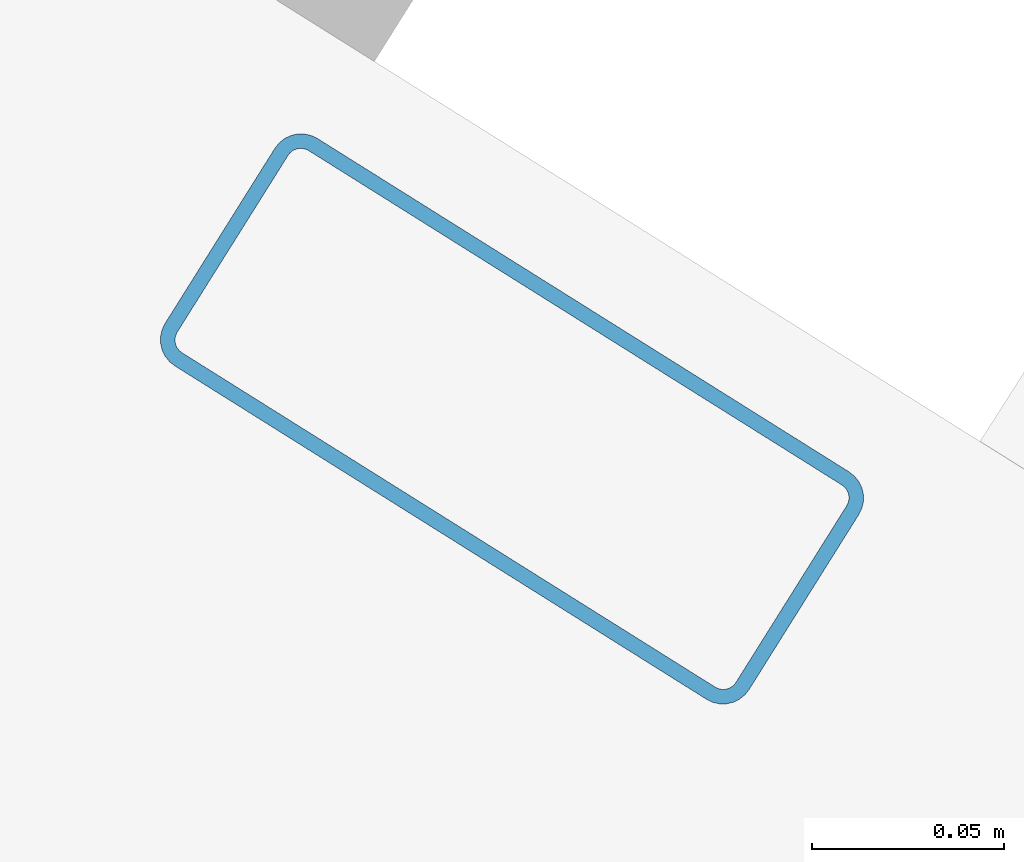
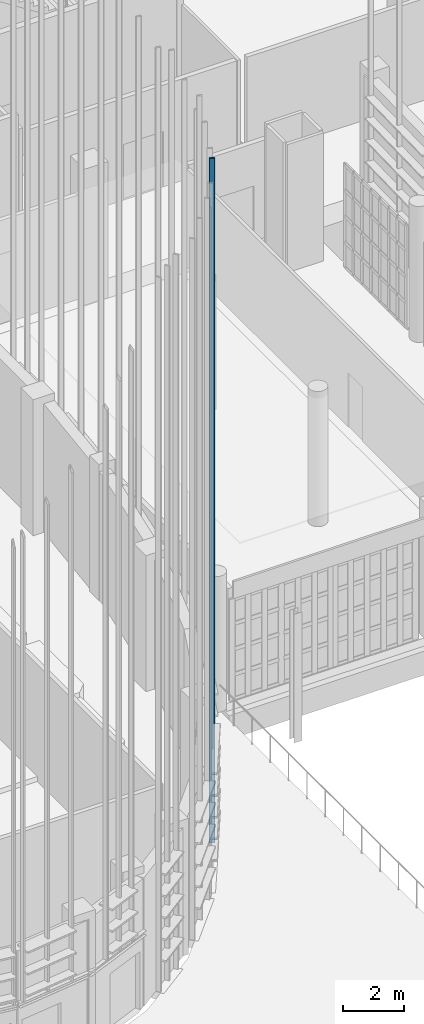
# One storey, part 62 of 372: 1 member.
"""IFC4 building model written with IfcOpenShell, lengths in metres."""

from ifc_helpers import new_model, si_unit, direction, frame, origin, origin_2d, place, context, subcontext, project, spatial, hollow_rectangle, extrude, material, material_profile, profile_set, type_object, element, save


model = new_model("IFC4")

# Units and contexts
model_context = context("Model", 3, precision=1e-05, world=origin(), true_north=direction((0.0, 1.0)))
body_context = subcontext(model_context, "Body", "Model", "MODEL_VIEW")
ifc_project = project(units=[si_unit("LENGTHUNIT", "METRE"), si_unit("AREAUNIT", "SQUARE_METRE"), si_unit("VOLUMEUNIT", "CUBIC_METRE"), si_unit("PLANEANGLEUNIT", "RADIAN"), si_unit("MASSUNIT", "GRAM", prefix="KILO")], contexts=[model_context])

# Site, building, storey
site_placement = place(None, origin())
site = spatial("IfcSite", under=ifc_project, at=site_placement, CompositionType="ELEMENT")
building_placement = place(site_placement, origin())
building = spatial("IfcBuilding", under=site, at=building_placement, Name="Kaelora Sail Theatre", CompositionType="ELEMENT")
storey_placement = place(building_placement, origin())
storey = spatial("IfcBuildingStorey", under=building, at=storey_placement, Name="L00", CompositionType="ELEMENT", Elevation=0.0)

# Member
ifc_material = material(Name="Anodised aluminium 6063-T6", Category="aluminium")
ifc_material_profile = material_profile(ifc_material, hollow_rectangle(XDim=0.070068359375, YDim=0.179931640625, WallThickness=0.00390625, InnerFilletRadius=0.00390625, OuterFilletRadius=0.008056640625, at=origin_2d()), Name="ALU-MULL 70x180x4")
ifc_profile_set = profile_set([ifc_material_profile], Name="Anodised aluminium 6063-T6")
member_type = type_object("IfcMemberType", Name="ARC-MEM-PST-160", PredefinedType="POST", material=ifc_profile_set)
member_placement = place(storey_placement, frame((54.230712890625, 32.12451171875, 0.0), z_axis=(0.0, 0.0, 1.0), x_axis=(-0.531250720758, -0.847214655028, 0.0)))
element("IfcMember", 1, at=member_placement, inside=storey, type_object=member_type, Name="Main Theatre Sail Drum solar louvre vertical support post C7-1", PredefinedType="POST", context=body_context, shape_type="SweptSolid", body=[
    extrude(hollow_rectangle(XDim=0.070068359375, YDim=0.179931640625, WallThickness=0.00390625, InnerFilletRadius=0.00390625, OuterFilletRadius=0.008056640625, at=origin_2d()), origin(), (0.0, 0.0, 1.0), 27.179443359375),
])

save(model, "model.ifc")
